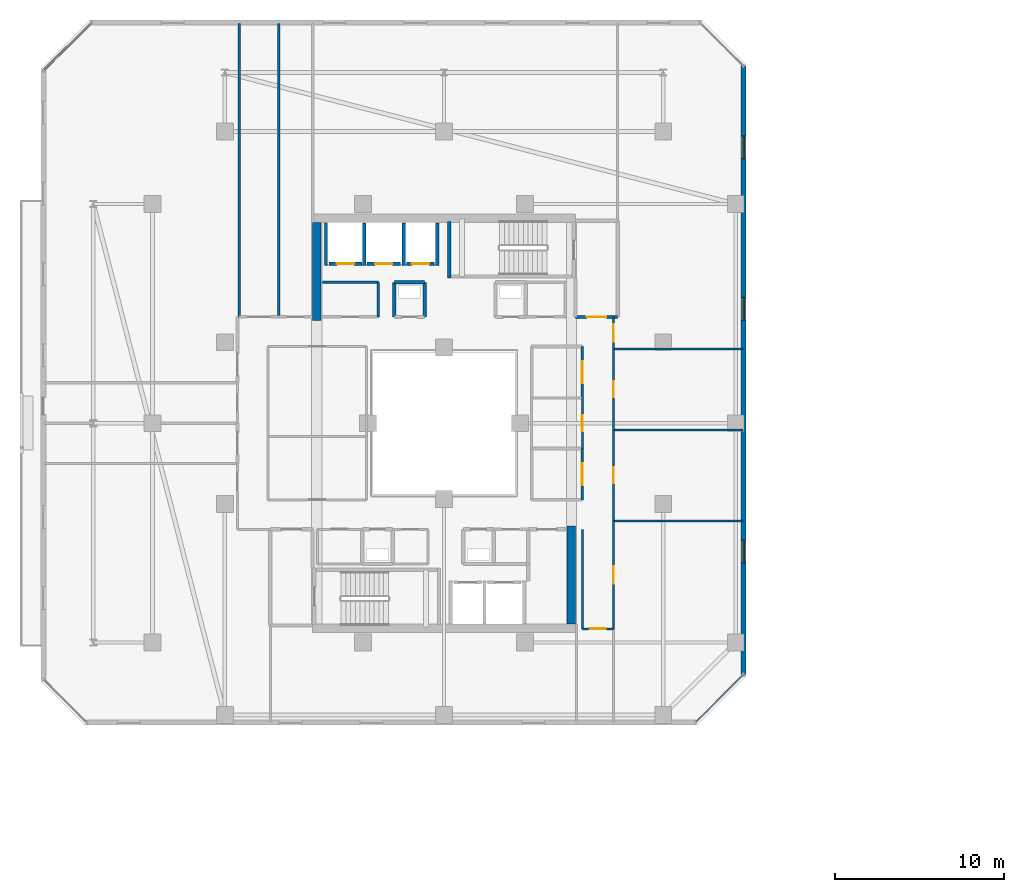
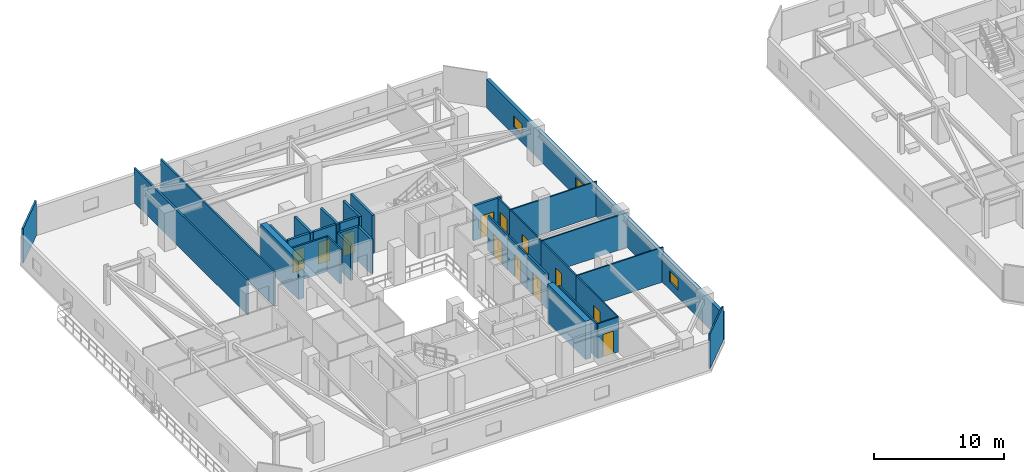
# One storey, part 21 of 33: 33 walls, 12 doors, 3 windows, 15 openings.
"""IFC4 building model written with IfcOpenShell, lengths in metres."""

from ifc_helpers import new_model, si_unit, direction, frame, frame_2d, origin, place, context, subcontext, project, spatial, rectangle, extrude, material, layer, layer_set, type_object, element, fill, save


model = new_model("IFC4")

# Units and contexts
model_context = context("Model", 3, precision=1e-05, world=origin(), true_north=direction((0.0, 1.0)))
body_context = subcontext(model_context, "Body", "Model", "MODEL_VIEW")
ifc_project = project(units=[si_unit("LENGTHUNIT", "METRE"), si_unit("AREAUNIT", "SQUARE_METRE"), si_unit("VOLUMEUNIT", "CUBIC_METRE"), si_unit("PLANEANGLEUNIT", "RADIAN"), si_unit("MASSUNIT", "GRAM", prefix="KILO")], contexts=[model_context])

# Site, building, storey
site_placement = place(None, origin())
site = spatial("IfcSite", under=ifc_project, at=site_placement, CompositionType="ELEMENT")
building_placement = place(site_placement, origin())
building = spatial("IfcBuilding", under=site, at=building_placement, Name="Thornwick Lancets Civic Towers", CompositionType="ELEMENT")
storey_placement = place(building_placement, frame((0.0, 0.0, 218.10009765625)))
storey = spatial("IfcBuildingStorey", under=building, at=storey_placement, Name="L58", CompositionType="ELEMENT", Elevation=218.10009765625)

# Wall, opening, door
ifc_material_1 = material(Name="Concrete blockwork C40/50", Category="masonry")
ifc_layer_1 = layer(ifc_material_1, 0.199951171875, Name="Concrete blockwork C40/50")
ifc_layer_set_1 = layer_set([ifc_layer_1], Name="Concrete blockwork C40/50")
wall_type_1 = type_object("IfcWallType", Name="WALL_COMP_200", PredefinedType="STANDARD", material=ifc_layer_set_1)
wall_1_placement = place(storey_placement, frame((24.919921875, 36.449951171875, 0.0), z_axis=(0.0, 0.0, 1.0), x_axis=(-1.0, 0.0, 0.0)))
wall_1 = element("IfcWall", 1, at=wall_1_placement, inside=storey, type_object=wall_type_1, Name="L58 Hoistway Front Wall FL-A2", PredefinedType="STANDARD", context=body_context, shape_type="SweptSolid", body=[
    extrude(rectangle(XDim=1.639892578125, YDim=0.199951171875, at=frame_2d((0.81982421875, 0.0))), origin(), (0.0, 0.0, 1.0), 3.260009765625),
])
opening_1_placement = place(wall_1_placement, frame((0.31005859375, 0.0, 0.0)))
opening_1 = element("IfcOpeningElement", 2, at=opening_1_placement, cuts=wall_1, Name="Opening LD-FL-A2", PredefinedType="OPENING", context=body_context, shape_type="SweptSolid", body=[
    extrude(rectangle(XDim=1.02001953125, YDim=2.06005859375, at=frame_2d((0.510009765625, 1.030029296875))), frame((0.0, 0.10986328125, 0.0), z_axis=(0.0, -1.0, 0.0), x_axis=(1.0, 0.0, 0.0)), (0.0, 0.0, 1.0), 0.219970703125),
])
ifc_material_2 = material(Name="Brushed bronze stainless steel", Category="steel")
door_type_1 = type_object("IfcDoorType", Name="DOOR_LIFT_SLIDE", OperationType="SLIDING_TO_LEFT", PredefinedType="DOOR", material=ifc_material_2)
door_1_placement = place(opening_1_placement, origin())
door_1 = element("IfcDoor", 3, at=door_1_placement, inside=storey, type_object=door_type_1, Name="L58 Sliding Lift Landing Door LD-FL-A2", OperationType="SLIDING_TO_LEFT", OverallHeight=2.06005859375, OverallWidth=1.02001953125, PredefinedType="DOOR", context=body_context, shape_type="SweptSolid", body=[
    extrude(rectangle(XDim=1.02001953125, YDim=2.06005859375, at=frame_2d((0.510009765625, 1.030029296875))), frame((0.0, 0.02490234375, 0.0), z_axis=(0.0, -1.0, 0.0), x_axis=(1.0, 0.0, 0.0)), (0.0, 0.0, 1.0), 0.050048828125),
])
fill(opening_1, door_1)

wall_2_placement = place(storey_placement, frame((22.919921875, 36.449951171875, 0.0), z_axis=(0.0, 0.0, 1.0), x_axis=(-1.0, 0.0, 0.0)))
wall_2 = element("IfcWall", 4, at=wall_2_placement, inside=storey, type_object=wall_type_1, Name="L58 Hoistway Front Wall PL-AH2", PredefinedType="STANDARD", context=body_context, shape_type="SweptSolid", body=[
    extrude(rectangle(XDim=1.989990234375, YDim=0.199951171875, at=frame_2d((0.9951171875, 0.0))), origin(), (0.0, 0.0, 1.0), 3.260009765625),
])
opening_2_placement = place(wall_2_placement, frame((0.485107421875, 0.0, 0.0)))
opening_2 = element("IfcOpeningElement", 5, at=opening_2_placement, cuts=wall_2, Name="Opening LD-PL-AH2", PredefinedType="OPENING", context=body_context, shape_type="SweptSolid", body=[
    extrude(rectangle(XDim=1.02001953125, YDim=2.06005859375, at=frame_2d((0.510009765625, 1.030029296875))), frame((0.0, 0.10986328125, 0.0), z_axis=(0.0, -1.0, 0.0), x_axis=(1.0, 0.0, 0.0)), (0.0, 0.0, 1.0), 0.219970703125),
])
door_2_placement = place(opening_2_placement, origin())
door_2 = element("IfcDoor", 6, at=door_2_placement, inside=storey, type_object=door_type_1, Name="L58 Sliding Lift Landing Door LD-PL-AH2", OperationType="SLIDING_TO_LEFT", OverallHeight=2.06005859375, OverallWidth=1.02001953125, PredefinedType="DOOR", context=body_context, shape_type="SweptSolid", body=[
    extrude(rectangle(XDim=1.02001953125, YDim=2.06005859375, at=frame_2d((0.510009765625, 1.030029296875))), frame((0.0, 0.02490234375, 0.0), z_axis=(0.0, -1.0, 0.0), x_axis=(1.0, 0.0, 0.0)), (0.0, 0.0, 1.0), 0.050048828125),
])
fill(opening_2, door_2)

wall_3_placement = place(storey_placement, frame((20.6201171875, 36.449951171875, 0.0), z_axis=(0.0, 0.0, 1.0), x_axis=(-1.0, 0.0, 0.0)))
wall_3 = element("IfcWall", 7, at=wall_3_placement, inside=storey, type_object=wall_type_1, Name="L58 Hoistway Front Wall PL-AH3", PredefinedType="STANDARD", context=body_context, shape_type="SweptSolid", body=[
    extrude(rectangle(XDim=1.940185546875, YDim=0.199951171875, at=frame_2d((0.97021484375, 0.0))), origin(), (0.0, 0.0, 1.0), 3.260009765625),
])
opening_3_placement = place(wall_3_placement, frame((0.4599609375, 0.0, 0.0)))
opening_3 = element("IfcOpeningElement", 8, at=opening_3_placement, cuts=wall_3, Name="Opening LD-PL-AH3", PredefinedType="OPENING", context=body_context, shape_type="SweptSolid", body=[
    extrude(rectangle(XDim=1.02001953125, YDim=2.06005859375, at=frame_2d((0.510009765625, 1.030029296875))), frame((0.0, 0.10986328125, 0.0), z_axis=(0.0, -1.0, 0.0), x_axis=(1.0, 0.0, 0.0)), (0.0, 0.0, 1.0), 0.219970703125),
])
door_3_placement = place(opening_3_placement, origin())
door_3 = element("IfcDoor", 9, at=door_3_placement, inside=storey, type_object=door_type_1, Name="L58 Sliding Lift Landing Door LD-PL-AH3", OperationType="SLIDING_TO_LEFT", OverallHeight=2.06005859375, OverallWidth=1.02001953125, PredefinedType="DOOR", context=body_context, shape_type="SweptSolid", body=[
    extrude(rectangle(XDim=1.02001953125, YDim=2.06005859375, at=frame_2d((0.510009765625, 1.030029296875))), frame((0.0, 0.02490234375, 0.0), z_axis=(0.0, -1.0, 0.0), x_axis=(1.0, 0.0, 0.0)), (0.0, 0.0, 1.0), 0.050048828125),
])
fill(opening_3, door_3)

# Walls
for number, where, z_axis, x_axis, name in (
    (10, (25.10009765625, 36.35205078125, 0.0), (0.0, 0.0, 1.0), (0.0, 1.0, 0.0), "L58 Hoistway Shaft Wall FL-A2 E"),
    (11, (23.10009765625, 36.35205078125, 0.0), (0.0, 0.0, 1.0), (0.0, 1.0, 0.0), "L58 Hoistway Shaft Wall FL-A2 W"),
    (12, (20.77490234375, 36.35205078125, 0.0), (0.0, 0.0, 1.0), (0.0, 1.0, 0.0), "L58 Hoistway Shaft Wall PL-AH2 W"),
    (13, (18.5, 36.35205078125, 0.0), (0.0, 0.0, 1.0), (0.0, 1.0, 0.0), "L58 Hoistway Shaft Wall PL-AH3 W"),
):
    element("IfcWall", number, at=place(storey_placement, frame(where, z_axis=z_axis, x_axis=x_axis)), inside=storey, type_object=wall_type_1, Name=name, PredefinedType="STANDARD", context=body_context, shape_type="SweptSolid", body=[
        extrude(rectangle(XDim=2.535888671875, YDim=0.199951171875, at=frame_2d((1.26806640625, 0.0))), origin(), (0.0, 0.0, 1.0), 3.260009765625),
    ])

# Wall, opening, door
wall_4_placement = place(storey_placement, frame((33.300048828125, 33.300048828125, 0.0), z_axis=(0.0, 0.0, 1.0), x_axis=(1.0, 0.0, 0.0)))
wall_4 = element("IfcWall", 14, at=wall_4_placement, inside=storey, type_object=wall_type_1, Name="L58 Partition L58-A-FFLOB2 E1", PredefinedType="STANDARD", context=body_context, shape_type="SweptSolid", body=[
    extrude(rectangle(XDim=2.5, YDim=0.199951171875, at=frame_2d((1.25, 0.0))), origin(), (0.0, 0.0, 1.0), 3.260009765625),
])
opening_4_placement = place(wall_4_placement, frame((0.675048828125, 0.0, 0.0)))
opening_4 = element("IfcOpeningElement", 15, at=opening_4_placement, cuts=wall_4, Name="Opening D-L58-2580", PredefinedType="OPENING", context=body_context, shape_type="SweptSolid", body=[
    extrude(rectangle(XDim=1.14990234375, YDim=2.10009765625, at=frame_2d((0.574951171875, 1.050048828125))), frame((0.0, 0.10986328125, 0.0), z_axis=(0.0, -1.0, 0.0), x_axis=(1.0, 0.0, 0.0)), (0.0, 0.0, 1.0), 0.219970703125),
])
ifc_material_3 = material(Name="Glazed fire-resisting steel", Category="steel")
door_type_2 = type_object("IfcDoorType", Name="DOOR_LOBBY_FD60", OperationType="NOTDEFINED", PredefinedType="DOOR", material=ifc_material_3)
door_4_placement = place(opening_4_placement, origin())
door_4 = element("IfcDoor", 16, at=door_4_placement, inside=storey, type_object=door_type_2, Name="L58 North Firefighting Lobby 2 Door", OperationType="SINGLE_SWING_LEFT", OverallHeight=2.10009765625, OverallWidth=1.14990234375, PredefinedType="DOOR", context=body_context, shape_type="SweptSolid", body=[
    extrude(rectangle(XDim=1.14990234375, YDim=2.10009765625, at=frame_2d((0.574951171875, 1.050048828125))), frame((0.0, 0.02490234375, 0.0), z_axis=(0.0, -1.0, 0.0), x_axis=(1.0, 0.0, 0.0)), (0.0, 0.0, 1.0), 0.050048828125),
])
fill(opening_4, door_4)

# Walls
wall_5_placement = place(storey_placement, frame((24.35009765625, 33.300048828125, 0.0), z_axis=(0.0, 0.0, 1.0), x_axis=(0.0, 1.0, 0.0)))
element("IfcWall", 17, at=wall_5_placement, inside=storey, type_object=wall_type_1, Name="L58 Partition L58-A-DUCT2 E2", PredefinedType="STANDARD", context=body_context, shape_type="SweptSolid", body=[
    extrude(rectangle(XDim=2.050048828125, YDim=0.199951171875, at=frame_2d((1.02490234375, 0.0))), origin(), (0.0, 0.0, 1.0), 3.260009765625),
])
wall_6_placement = place(storey_placement, frame((24.35009765625, 35.35009765625, 0.0), z_axis=(0.0, 0.0, 1.0), x_axis=(-1.0, 0.0, 0.0)))
element("IfcWall", 18, at=wall_6_placement, inside=storey, type_object=wall_type_1, Name="L58 Partition L58-A-DUCT2 E3", PredefinedType="STANDARD", context=body_context, shape_type="SweptSolid", body=[
    extrude(rectangle(XDim=1.800048828125, YDim=0.199951171875, at=frame_2d((0.89990234375, 0.0))), origin(), (0.0, 0.0, 1.0), 3.260009765625),
])
wall_7_placement = place(storey_placement, frame((22.550048828125, 35.35009765625, 0.0), z_axis=(0.0, 0.0, 1.0), x_axis=(0.0, -1.0, 0.0)))
element("IfcWall", 19, at=wall_7_placement, inside=storey, type_object=wall_type_1, Name="L58 Partition L58-A-DUCT2 E4", PredefinedType="STANDARD", context=body_context, shape_type="SweptSolid", body=[
    extrude(rectangle(XDim=2.050048828125, YDim=0.199951171875, at=frame_2d((1.02490234375, 0.0))), origin(), (0.0, 0.0, 1.0), 3.260009765625),
])
ifc_material_4 = material(Name="Concrete C50/60", Category="concrete")
ifc_layer_2 = layer(ifc_material_4, 0.5, Name="Concrete C50/60")
ifc_layer_set_2 = layer_set([ifc_layer_2], Name="Concrete C50/60")
wall_type_2 = type_object("IfcWallType", Name="WALL_CORE_500", PredefinedType="SHEAR", material=ifc_layer_set_2)
for number, where, z_axis, x_axis, name in (
    (20, (33.050048828125, 15.10009765625, 0.0), (0.0, 0.0, 1.0), (0.0, 1.0, 0.0), "L58 Split Core A1 Shear Wall E"),
    (21, (17.949951171875, 33.10009765625, 0.0), (0.0, 0.0, 1.0), (0.0, 1.0, 0.0), "L58 Split Core A2 Shear Wall W"),
):
    element("IfcWall", number, at=place(storey_placement, frame(where, z_axis=z_axis, x_axis=x_axis)), inside=storey, type_object=wall_type_2, Name=name, PredefinedType="SHEAR", context=body_context, shape_type="SweptSolid", body=[
        extrude(rectangle(XDim=5.7998046875, YDim=0.5, at=frame_2d((2.89990234375, 0.0))), origin(), (0.0, 0.0, 1.0), 3.599853515625),
    ])

# Wall, openings, windows
ifc_material_5 = material(Name="Insulated russet terracotta rainscreen on concrete C40/50", Category="masonry")
ifc_layer_3 = layer(ifc_material_5, 0.300048828125, Name="Insulated russet terracotta rainscreen on concrete C40/50")
ifc_layer_set_3 = layer_set([ifc_layer_3], Name="Insulated russet terracotta rainscreen on concrete C40/50")
wall_type_3 = type_object("IfcWallType", Name="WALL_EXT_RUSSET_300", PredefinedType="STANDARD", material=ifc_layer_set_3)
wall_8_placement = place(storey_placement, frame((43.263671875, 12.094482421875, 0.0), z_axis=(0.0, 0.0, 1.0), x_axis=(2.7061402e-05, 0.999999999634, 0.0)))
wall_8 = element("IfcWall", 22, at=wall_8_placement, inside=storey, type_object=wall_type_3, Name="L58 Tower A Terracotta Facade Wall E2", PredefinedType="STANDARD", context=body_context, shape_type="SweptSolid", body=[
    extrude(rectangle(XDim=36.0869140625, YDim=0.300048828125, at=frame_2d((18.04345703125, 0.0))), origin(), (0.0, 0.0, 1.0), 2.659912109375),
])
opening_5_placement = place(wall_8_placement, frame((6.60009765625, 0.0, 0.719970703125)))
opening_5 = element("IfcOpeningElement", 23, at=opening_5_placement, cuts=wall_8, Name="Opening WL-03", PredefinedType="OPENING", context=body_context, shape_type="SweptSolid", body=[
    extrude(rectangle(XDim=1.35009765625, YDim=1.050048828125, at=frame_2d((0.675048828125, 0.52490234375))), frame((0.0, 0.16015625, 0.0), z_axis=(0.0, -1.0, 0.0), x_axis=(1.0, 0.0, 0.0)), (0.0, 0.0, 1.0), 0.320068359375),
])
opening_6_placement = place(wall_8_placement, frame((21.0, 0.0, 0.719970703125)))
opening_6 = element("IfcOpeningElement", 24, at=opening_6_placement, cuts=wall_8, Name="Opening WL-03", PredefinedType="OPENING", context=body_context, shape_type="SweptSolid", body=[
    extrude(rectangle(XDim=1.35009765625, YDim=1.050048828125, at=frame_2d((0.675048828125, 0.52490234375))), frame((0.0, 0.16015625, 0.0), z_axis=(0.0, -1.0, 0.0), x_axis=(1.0, 0.0, 0.0)), (0.0, 0.0, 1.0), 0.320068359375),
])
opening_7_placement = place(wall_8_placement, frame((30.60009765625, 0.0, 0.719970703125)))
opening_7 = element("IfcOpeningElement", 25, at=opening_7_placement, cuts=wall_8, Name="Opening WL-03", PredefinedType="OPENING", context=body_context, shape_type="SweptSolid", body=[
    extrude(rectangle(XDim=1.35009765625, YDim=1.050048828125, at=frame_2d((0.675048828125, 0.52490234375))), frame((0.0, 0.16015625, 0.0), z_axis=(0.0, -1.0, 0.0), x_axis=(1.0, 0.0, 0.0)), (0.0, 0.0, 1.0), 0.320068359375),
])
ifc_material_6 = material(Name="Clear low-e double glazing clerestory lancet", Category="glass")
window_type = type_object("IfcWindowType", Name="WIN_LANCET_1350", PartitioningType="SINGLE_PANEL", PredefinedType="WINDOW", material=ifc_material_6)
window_1_placement = place(opening_5_placement, origin())
window_1 = element("IfcWindow", 26, at=window_1_placement, inside=storey, type_object=window_type, Name="L58 Tower A Staggered Lancet Window E2-1", OverallHeight=1.050048828125, OverallWidth=1.35009765625, PartitioningType="SINGLE_PANEL", PredefinedType="WINDOW", context=body_context, shape_type="SweptSolid", body=[
    extrude(rectangle(XDim=1.35009765625, YDim=1.050048828125, at=frame_2d((0.675048828125, 0.52490234375))), frame((0.0, 0.030029296875, 0.0), z_axis=(0.0, -1.0, 0.0), x_axis=(1.0, 0.0, 0.0)), (0.0, 0.0, 1.0), 0.06005859375),
])
fill(opening_5, window_1)
window_2_placement = place(opening_6_placement, origin())
window_2 = element("IfcWindow", 27, at=window_2_placement, inside=storey, type_object=window_type, Name="L58 Tower A Staggered Lancet Window E2-2", OverallHeight=1.050048828125, OverallWidth=1.35009765625, PartitioningType="SINGLE_PANEL", PredefinedType="WINDOW", context=body_context, shape_type="SweptSolid", body=[
    extrude(rectangle(XDim=1.35009765625, YDim=1.050048828125, at=frame_2d((0.675048828125, 0.52490234375))), frame((0.0, 0.030029296875, 0.0), z_axis=(0.0, -1.0, 0.0), x_axis=(1.0, 0.0, 0.0)), (0.0, 0.0, 1.0), 0.06005859375),
])
fill(opening_6, window_2)
window_3_placement = place(opening_7_placement, origin())
window_3 = element("IfcWindow", 28, at=window_3_placement, inside=storey, type_object=window_type, Name="L58 Tower A Staggered Lancet Window E2-3", OverallHeight=1.050048828125, OverallWidth=1.35009765625, PartitioningType="SINGLE_PANEL", PredefinedType="WINDOW", context=body_context, shape_type="SweptSolid", body=[
    extrude(rectangle(XDim=1.35009765625, YDim=1.050048828125, at=frame_2d((0.675048828125, 0.52490234375))), frame((0.0, 0.030029296875, 0.0), z_axis=(0.0, -1.0, 0.0), x_axis=(1.0, 0.0, 0.0)), (0.0, 0.0, 1.0), 0.06005859375),
])
fill(opening_7, window_3)

# Wall
ifc_material_7 = material(Name="Acoustic gypsum board partition")
ifc_layer_4 = layer(ifc_material_7, 0.1201171875, Name="Acoustic gypsum board partition")
ifc_layer_set_4 = layer_set([ifc_layer_4], Name="Acoustic gypsum board partition")
wall_type_4 = type_object("IfcWallType", Name="WALL_PART_120", PredefinedType="PARTITIONING", material=ifc_layer_set_4)
wall_9_placement = place(storey_placement, frame((33.699951171875, 20.699951171875, 0.0), z_axis=(0.0, 0.0, 1.0), x_axis=(0.0, -1.0, 0.0)))
element("IfcWall", 29, at=wall_9_placement, inside=storey, type_object=wall_type_4, Name="L58 Partition L58-A-RECLAIM-L E2", PredefinedType="PARTITIONING", context=body_context, shape_type="SweptSolid", body=[
    extrude(rectangle(XDim=5.89990234375, YDim=0.1201171875, at=frame_2d((2.949951171875, 0.0))), origin(), (0.0, 0.0, 1.0), 3.260009765625),
])

# Wall, opening, door
wall_10_placement = place(storey_placement, frame((33.699951171875, 14.800048828125, 0.0), z_axis=(0.0, 0.0, 1.0), x_axis=(1.0, 0.0, 0.0)))
wall_10 = element("IfcWall", 30, at=wall_10_placement, inside=storey, type_object=wall_type_4, Name="L58 Partition L58-A-RECLAIM-L E3", PredefinedType="PARTITIONING", context=body_context, shape_type="SweptSolid", body=[
    extrude(rectangle(XDim=1.85009765625, YDim=0.1201171875, at=frame_2d((0.925048828125, 0.0))), origin(), (0.0, 0.0, 1.0), 3.260009765625),
])
opening_8_placement = place(wall_10_placement, frame((0.449951171875, 0.0, 0.0)))
opening_8 = element("IfcOpeningElement", 31, at=opening_8_placement, cuts=wall_10, Name="Opening D-L58-2603", PredefinedType="OPENING", context=body_context, shape_type="SweptSolid", body=[
    extrude(rectangle(XDim=0.949951171875, YDim=2.10009765625, at=frame_2d((0.47509765625, 1.050048828125))), frame((0.0, 0.070068359375, 0.0), z_axis=(0.0, -1.0, 0.0), x_axis=(1.0, 0.0, 0.0)), (0.0, 0.0, 1.0), 0.14013671875),
])
ifc_material_8 = material(Name="European oak acoustic doorset")
door_type_3 = type_object("IfcDoorType", Name="DOOR_OFFICE_950", OperationType="NOTDEFINED", PredefinedType="DOOR", material=ifc_material_8)
door_5_placement = place(opening_8_placement, origin())
door_5 = element("IfcDoor", 32, at=door_5_placement, inside=storey, type_object=door_type_3, Name="L58 Tower A Parliamentary Drafting Library Door", OperationType="SINGLE_SWING_RIGHT", OverallHeight=2.10009765625, OverallWidth=0.949951171875, PredefinedType="DOOR", context=body_context, shape_type="SweptSolid", body=[
    extrude(rectangle(XDim=0.949951171875, YDim=2.10009765625, at=frame_2d((0.47509765625, 1.050048828125))), frame((0.0, 0.02490234375, 0.0), z_axis=(0.0, -1.0, 0.0), x_axis=(1.0, 0.0, 0.0)), (0.0, 0.0, 1.0), 0.050048828125),
])
fill(opening_8, door_5)

wall_11_placement = place(storey_placement, frame((35.550048828125, 14.800048828125, 0.0), z_axis=(0.0, 0.0, 1.0), x_axis=(0.0, 1.0, 0.0)))
wall_11 = element("IfcWall", 33, at=wall_11_placement, inside=storey, type_object=wall_type_4, Name="L58 Partition L58-A-E1 E3", PredefinedType="PARTITIONING", context=body_context, shape_type="SweptSolid", body=[
    extrude(rectangle(XDim=6.39990234375, YDim=0.1201171875, at=frame_2d((3.199951171875, 0.0))), origin(), (0.0, 0.0, 1.0), 3.260009765625),
])
opening_9_placement = place(wall_11_placement, frame((2.675048828125, 0.0, 0.0)))
opening_9 = element("IfcOpeningElement", 34, at=opening_9_placement, cuts=wall_11, Name="Opening D-L58-2612", PredefinedType="OPENING", context=body_context, shape_type="SweptSolid", body=[
    extrude(rectangle(XDim=1.050048828125, YDim=2.10009765625, at=frame_2d((0.52490234375, 1.050048828125))), frame((0.0, 0.070068359375, 0.0), z_axis=(0.0, -1.0, 0.0), x_axis=(1.0, 0.0, 0.0)), (0.0, 0.0, 1.0), 0.14013671875),
])
ifc_material_9 = material(Name="Glazed European oak executive doorset")
door_type_4 = type_object("IfcDoorType", Name="DOOR_OFFICE_1050", OperationType="NOTDEFINED", PredefinedType="DOOR", material=ifc_material_9)
door_6_placement = place(opening_9_placement, origin())
door_6 = element("IfcDoor", 35, at=door_6_placement, inside=storey, type_object=door_type_4, Name="L58 Tower A Secretariat Open Office E1 Door", OperationType="SINGLE_SWING_LEFT", OverallHeight=2.10009765625, OverallWidth=1.050048828125, PredefinedType="DOOR", context=body_context, shape_type="SweptSolid", body=[
    extrude(rectangle(XDim=1.050048828125, YDim=2.10009765625, at=frame_2d((0.52490234375, 1.050048828125))), frame((0.0, 0.02490234375, 0.0), z_axis=(0.0, -1.0, 0.0), x_axis=(1.0, 0.0, 0.0)), (0.0, 0.0, 1.0), 0.050048828125),
])
fill(opening_9, door_6)

# Walls
wall_12_placement = place(storey_placement, frame((35.550048828125, 21.199951171875, 0.0), z_axis=(0.0, 0.0, 1.0), x_axis=(1.0, 0.0, 0.0)))
element("IfcWall", 36, at=wall_12_placement, inside=storey, type_object=wall_type_4, Name="L58 Partition L58-A-E1 E4", PredefinedType="PARTITIONING", context=body_context, shape_type="SweptSolid", body=[
    extrude(rectangle(XDim=7.669921875, YDim=0.1201171875, at=frame_2d((3.8349609375, 0.0))), origin(), (0.0, 0.0, 1.0), 3.260009765625),
])
wall_13_placement = place(storey_placement, frame((43.219970703125, 12.051513671875, 0.0), z_axis=(0.0, 0.0, 1.0), x_axis=(-0.707106781187, -0.707106781187, 0.0)))
element("IfcWall", 37, at=wall_13_placement, inside=storey, type_object=wall_type_4, Name="L58 Partition L58-A-E1 E6", PredefinedType="PARTITIONING", context=body_context, shape_type="SweptSolid", body=[
    extrude(rectangle(XDim=3.91943359375, YDim=0.1201171875, at=frame_2d((1.959716796875, 0.0))), origin(), (0.0, 0.0, 1.0), 3.260009765625),
])

# Wall, opening, door
wall_14_placement = place(storey_placement, frame((35.550048828125, 21.199951171875, 0.0), z_axis=(0.0, 0.0, 1.0), x_axis=(0.0, 1.0, 0.0)))
wall_14 = element("IfcWall", 38, at=wall_14_placement, inside=storey, type_object=wall_type_4, Name="L58 Partition L58-A-E2 E1", PredefinedType="PARTITIONING", context=body_context, shape_type="SweptSolid", body=[
    extrude(rectangle(XDim=5.400146484375, YDim=0.1201171875, at=frame_2d((2.7001953125, 0.0))), origin(), (0.0, 0.0, 1.0), 3.260009765625),
])
opening_10_placement = place(wall_14_placement, frame((2.22509765625, 0.0, 0.0)))
opening_10 = element("IfcOpeningElement", 39, at=opening_10_placement, cuts=wall_14, Name="Opening D-L58-2613", PredefinedType="OPENING", context=body_context, shape_type="SweptSolid", body=[
    extrude(rectangle(XDim=0.949951171875, YDim=2.10009765625, at=frame_2d((0.47509765625, 1.050048828125))), frame((0.0, 0.070068359375, 0.0), z_axis=(0.0, -1.0, 0.0), x_axis=(1.0, 0.0, 0.0)), (0.0, 0.0, 1.0), 0.14013671875),
])
door_7_placement = place(opening_10_placement, origin())
door_7 = element("IfcDoor", 40, at=door_7_placement, inside=storey, type_object=door_type_3, Name="L58 Tower A Visitors Reception and Waiting Door", OperationType="SINGLE_SWING_RIGHT", OverallHeight=2.10009765625, OverallWidth=0.949951171875, PredefinedType="DOOR", context=body_context, shape_type="SweptSolid", body=[
    extrude(rectangle(XDim=0.949951171875, YDim=2.10009765625, at=frame_2d((0.47509765625, 1.050048828125))), frame((0.0, 0.02490234375, 0.0), z_axis=(0.0, -1.0, 0.0), x_axis=(1.0, 0.0, 0.0)), (0.0, 0.0, 1.0), 0.050048828125),
])
fill(opening_10, door_7)

# Wall
wall_15_placement = place(storey_placement, frame((35.550048828125, 26.60009765625, 0.0), z_axis=(0.0, 0.0, 1.0), x_axis=(1.0, 0.0, 0.0)))
element("IfcWall", 41, at=wall_15_placement, inside=storey, type_object=wall_type_4, Name="L58 Partition L58-A-E2 E2", PredefinedType="PARTITIONING", context=body_context, shape_type="SweptSolid", body=[
    extrude(rectangle(XDim=7.669921875, YDim=0.1201171875, at=frame_2d((3.8349609375, 0.0))), origin(), (0.0, 0.0, 1.0), 3.260009765625),
])

# Wall, opening, door
wall_16_placement = place(storey_placement, frame((35.550048828125, 26.60009765625, 0.0), z_axis=(0.0, 0.0, 1.0), x_axis=(0.0, 1.0, 0.0)))
wall_16 = element("IfcWall", 42, at=wall_16_placement, inside=storey, type_object=wall_type_4, Name="L58 Partition L58-A-E3 E1", PredefinedType="PARTITIONING", context=body_context, shape_type="SweptSolid", body=[
    extrude(rectangle(XDim=4.7998046875, YDim=0.1201171875, at=frame_2d((2.39990234375, 0.0))), origin(), (0.0, 0.0, 1.0), 3.260009765625),
])
opening_11_placement = place(wall_16_placement, frame((1.925048828125, 0.0, 0.0)))
opening_11 = element("IfcOpeningElement", 43, at=opening_11_placement, cuts=wall_16, Name="Opening D-L58-2614", PredefinedType="OPENING", context=body_context, shape_type="SweptSolid", body=[
    extrude(rectangle(XDim=0.949951171875, YDim=2.10009765625, at=frame_2d((0.47509765625, 1.050048828125))), frame((0.0, 0.070068359375, 0.0), z_axis=(0.0, -1.0, 0.0), x_axis=(1.0, 0.0, 0.0)), (0.0, 0.0, 1.0), 0.14013671875),
])
door_8_placement = place(opening_11_placement, origin())
door_8 = element("IfcDoor", 44, at=door_8_placement, inside=storey, type_object=door_type_3, Name="L58 Tower A Civic Seminar Room Door", OperationType="SINGLE_SWING_LEFT", OverallHeight=2.10009765625, OverallWidth=0.949951171875, PredefinedType="DOOR", context=body_context, shape_type="SweptSolid", body=[
    extrude(rectangle(XDim=0.949951171875, YDim=2.10009765625, at=frame_2d((0.47509765625, 1.050048828125))), frame((0.0, 0.02490234375, 0.0), z_axis=(0.0, -1.0, 0.0), x_axis=(1.0, 0.0, 0.0)), (0.0, 0.0, 1.0), 0.050048828125),
])
fill(opening_11, door_8)

# Wall
wall_17_placement = place(storey_placement, frame((35.550048828125, 31.39990234375, 0.0), z_axis=(0.0, 0.0, 1.0), x_axis=(1.0, 0.0, 0.0)))
element("IfcWall", 45, at=wall_17_placement, inside=storey, type_object=wall_type_4, Name="L58 Partition L58-A-E3 E2", PredefinedType="PARTITIONING", context=body_context, shape_type="SweptSolid", body=[
    extrude(rectangle(XDim=7.669921875, YDim=0.1201171875, at=frame_2d((3.8349609375, 0.0))), origin(), (0.0, 0.0, 1.0), 3.260009765625),
])

# Wall, opening, door
wall_18_placement = place(storey_placement, frame((35.550048828125, 31.39990234375, 0.0), z_axis=(0.0, 0.0, 1.0), x_axis=(0.0, 1.0, 0.0)))
wall_18 = element("IfcWall", 46, at=wall_18_placement, inside=storey, type_object=wall_type_4, Name="L58 Partition L58-A-E4 E8", PredefinedType="PARTITIONING", context=body_context, shape_type="SweptSolid", body=[
    extrude(rectangle(XDim=1.900146484375, YDim=0.1201171875, at=frame_2d((0.9501953125, 0.0))), origin(), (0.0, 0.0, 1.0), 3.260009765625),
])
opening_12_placement = place(wall_18_placement, frame((0.425048828125, 0.0, 0.0)))
opening_12 = element("IfcOpeningElement", 47, at=opening_12_placement, cuts=wall_18, Name="Opening D-L58-2615", PredefinedType="OPENING", context=body_context, shape_type="SweptSolid", body=[
    extrude(rectangle(XDim=1.050048828125, YDim=2.10009765625, at=frame_2d((0.52490234375, 1.050048828125))), frame((0.0, 0.070068359375, 0.0), z_axis=(0.0, -1.0, 0.0), x_axis=(1.0, 0.0, 0.0)), (0.0, 0.0, 1.0), 0.14013671875),
])
door_9_placement = place(opening_12_placement, origin())
door_9 = element("IfcDoor", 48, at=door_9_placement, inside=storey, type_object=door_type_4, Name="L58 Tower A Legislative Drafting Suite E4 Door", OperationType="SINGLE_SWING_RIGHT", OverallHeight=2.10009765625, OverallWidth=1.050048828125, PredefinedType="DOOR", context=body_context, shape_type="SweptSolid", body=[
    extrude(rectangle(XDim=1.050048828125, YDim=2.10009765625, at=frame_2d((0.52490234375, 1.050048828125))), frame((0.0, 0.02490234375, 0.0), z_axis=(0.0, -1.0, 0.0), x_axis=(1.0, 0.0, 0.0)), (0.0, 0.0, 1.0), 0.050048828125),
])
fill(opening_12, door_9)

wall_19_placement = place(storey_placement, frame((33.699951171875, 28.5, 0.0), z_axis=(0.0, 0.0, 1.0), x_axis=(0.0, -1.0, 0.0)))
wall_19 = element("IfcWall", 49, at=wall_19_placement, inside=storey, type_object=wall_type_4, Name="L58 Partition L58-A-E-ATR-2 E3", PredefinedType="PARTITIONING", context=body_context, shape_type="SweptSolid", body=[
    extrude(rectangle(XDim=3.0, YDim=0.1201171875, at=frame_2d((1.5, 0.0))), origin(), (0.0, 0.0, 1.0), 3.260009765625),
])
opening_13_placement = place(wall_19_placement, frame((1.02490234375, 0.0, 0.0)))
opening_13 = element("IfcOpeningElement", 50, at=opening_13_placement, cuts=wall_19, Name="Opening D-L58-2617", PredefinedType="OPENING", context=body_context, shape_type="SweptSolid", body=[
    extrude(rectangle(XDim=0.949951171875, YDim=2.10009765625, at=frame_2d((0.47509765625, 1.050048828125))), frame((0.0, 0.070068359375, 0.0), z_axis=(0.0, -1.0, 0.0), x_axis=(1.0, 0.0, 0.0)), (0.0, 0.0, 1.0), 0.14013671875),
])
door_10_placement = place(opening_13_placement, origin())
door_10 = element("IfcDoor", 51, at=door_10_placement, inside=storey, type_object=door_type_3, Name="L58 Tower A Atrium Research Suite Door", OperationType="SINGLE_SWING_RIGHT", OverallHeight=2.10009765625, OverallWidth=0.949951171875, PredefinedType="DOOR", context=body_context, shape_type="SweptSolid", body=[
    extrude(rectangle(XDim=0.949951171875, YDim=2.10009765625, at=frame_2d((0.47509765625, 1.050048828125))), frame((0.0, 0.02490234375, 0.0), z_axis=(0.0, -1.0, 0.0), x_axis=(1.0, 0.0, 0.0)), (0.0, 0.0, 1.0), 0.050048828125),
])
fill(opening_13, door_10)

# Walls
ifc_material_10 = material(Name="Twin-stud acoustic gypsum board")
ifc_layer_5 = layer(ifc_material_10, 0.14990234375, Name="Twin-stud acoustic gypsum board")
ifc_layer_set_5 = layer_set([ifc_layer_5], Name="Twin-stud acoustic gypsum board")
wall_type_5 = type_object("IfcWallType", Name="WALL_PART_150", PredefinedType="PARTITIONING", material=ifc_layer_set_5)
wall_20_placement = place(storey_placement, frame((21.60009765625, 33.300048828125, 0.0), z_axis=(0.0, 0.0, 1.0), x_axis=(0.0, 1.0, 0.0)))
element("IfcWall", 52, at=wall_20_placement, inside=storey, type_object=wall_type_5, Name="L58 Partition L58-A-MWC E2", PredefinedType="PARTITIONING", context=body_context, shape_type="SweptSolid", body=[
    extrude(rectangle(XDim=2.050048828125, YDim=0.14990234375, at=frame_2d((1.02490234375, 0.0))), origin(), (0.0, 0.0, 1.0), 3.260009765625),
])
wall_21_placement = place(storey_placement, frame((21.60009765625, 35.35009765625, 0.0), z_axis=(0.0, 0.0, 1.0), x_axis=(-1.0, 0.0, 0.0)))
element("IfcWall", 53, at=wall_21_placement, inside=storey, type_object=wall_type_5, Name="L58 Partition L58-A-MWC E3", PredefinedType="PARTITIONING", context=body_context, shape_type="SweptSolid", body=[
    extrude(rectangle(XDim=3.300048828125, YDim=0.14990234375, at=frame_2d((1.64990234375, 0.0))), origin(), (0.0, 0.0, 1.0), 3.260009765625),
])
for number, where, z_axis, x_axis, name in (
    (54, (13.35009765625, 33.300048828125, 0.0), (0.0, 0.0, 1.0), (0.0, 1.0, 0.0), "L58 Partition L58-A-RECLAIM-M1 E1"),
    (55, (15.699951171875, 50.719970703125, 0.0), (0.0, 0.0, 1.0), (0.0, -1.0, 0.0), "L58 Partition L58-A-RECLAIM-M1 E3"),
):
    element("IfcWall", number, at=place(storey_placement, frame(where, z_axis=z_axis, x_axis=x_axis)), inside=storey, type_object=wall_type_5, Name=name, PredefinedType="PARTITIONING", context=body_context, shape_type="SweptSolid", body=[
        extrude(rectangle(XDim=17.419921875, YDim=0.14990234375, at=frame_2d((8.7099609375, 0.0))), origin(), (0.0, 0.0, 1.0), 3.260009765625),
    ])
wall_22_placement = place(storey_placement, frame((1.780029296875, 47.948486328125, 0.0), z_axis=(0.0, 0.0, 1.0), x_axis=(0.707106781187, 0.707106781187, 0.0)))
element("IfcWall", 56, at=wall_22_placement, inside=storey, type_object=wall_type_5, Name="L58 Partition L58-A-W2C E2", PredefinedType="PARTITIONING", context=body_context, shape_type="SweptSolid", body=[
    extrude(rectangle(XDim=3.91943359375, YDim=0.14990234375, at=frame_2d((1.959716796875, 0.0))), origin(), (0.0, 0.0, 1.0), 3.260009765625),
])

# Wall, opening, door
wall_23_placement = place(storey_placement, frame((33.699951171875, 25.5, 0.0), z_axis=(0.0, 0.0, 1.0), x_axis=(0.0, -1.0, 0.0)))
wall_23 = element("IfcWall", 57, at=wall_23_placement, inside=storey, type_object=wall_type_5, Name="L58 Partition L58-A-E-ATR-1 E3", PredefinedType="PARTITIONING", context=body_context, shape_type="SweptSolid", body=[
    extrude(rectangle(XDim=3.050048828125, YDim=0.14990234375, at=frame_2d((1.52490234375, 0.0))), origin(), (0.0, 0.0, 1.0), 3.260009765625),
])
opening_14_placement = place(wall_23_placement, frame((0.875, 0.0, 0.0)))
opening_14 = element("IfcOpeningElement", 58, at=opening_14_placement, cuts=wall_23, Name="Opening D-L58-2616", PredefinedType="OPENING", context=body_context, shape_type="SweptSolid", body=[
    extrude(rectangle(XDim=1.300048828125, YDim=2.1201171875, at=frame_2d((0.64990234375, 1.06005859375))), frame((0.0, 0.0849609375, 0.0), z_axis=(0.0, -1.0, 0.0), x_axis=(1.0, 0.0, 0.0)), (0.0, 0.0, 1.0), 0.169921875),
])
ifc_material_11 = material(Name="Acoustic oak leaf-and-a-half doorset")
door_type_5 = type_object("IfcDoorType", Name="DOOR_MEET_1300", OperationType="DOUBLE_DOOR_SINGLE_SWING", PredefinedType="DOOR", material=ifc_material_11)
door_11_placement = place(opening_14_placement, origin())
door_11 = element("IfcDoor", 59, at=door_11_placement, inside=storey, type_object=door_type_5, Name="L58 Tower A Atrium Briefing Room Door", OperationType="DOUBLE_DOOR_SINGLE_SWING", OverallHeight=2.1201171875, OverallWidth=1.300048828125, PredefinedType="DOOR", context=body_context, shape_type="SweptSolid", body=[
    extrude(rectangle(XDim=1.300048828125, YDim=2.1201171875, at=frame_2d((0.64990234375, 1.06005859375))), frame((0.0, 0.02490234375, 0.0), z_axis=(0.0, -1.0, 0.0), x_axis=(1.0, 0.0, 0.0)), (0.0, 0.0, 1.0), 0.050048828125),
])
fill(opening_14, door_11)

wall_24_placement = place(storey_placement, frame((33.699951171875, 31.550048828125, 0.0), z_axis=(0.0, 0.0, 1.0), x_axis=(0.0, -1.0, 0.0)))
wall_24 = element("IfcWall", 60, at=wall_24_placement, inside=storey, type_object=wall_type_5, Name="L58 Partition L58-A-E-ATR-3 E3", PredefinedType="PARTITIONING", context=body_context, shape_type="SweptSolid", body=[
    extrude(rectangle(XDim=3.050048828125, YDim=0.14990234375, at=frame_2d((1.52490234375, 0.0))), origin(), (0.0, 0.0, 1.0), 3.260009765625),
])
opening_15_placement = place(wall_24_placement, frame((0.875, 0.0, 0.0)))
opening_15 = element("IfcOpeningElement", 61, at=opening_15_placement, cuts=wall_24, Name="Opening D-L58-2618", PredefinedType="OPENING", context=body_context, shape_type="SweptSolid", body=[
    extrude(rectangle(XDim=1.300048828125, YDim=2.1201171875, at=frame_2d((0.64990234375, 1.06005859375))), frame((0.0, 0.0849609375, 0.0), z_axis=(0.0, -1.0, 0.0), x_axis=(1.0, 0.0, 0.0)), (0.0, 0.0, 1.0), 0.169921875),
])
door_12_placement = place(opening_15_placement, origin())
door_12 = element("IfcDoor", 62, at=door_12_placement, inside=storey, type_object=door_type_5, Name="L58 Tower A Atrium Consultation Chamber Door", OperationType="DOUBLE_DOOR_SINGLE_SWING", OverallHeight=2.1201171875, OverallWidth=1.300048828125, PredefinedType="DOOR", context=body_context, shape_type="SweptSolid", body=[
    extrude(rectangle(XDim=1.300048828125, YDim=2.1201171875, at=frame_2d((0.64990234375, 1.06005859375))), frame((0.0, 0.02490234375, 0.0), z_axis=(0.0, -1.0, 0.0), x_axis=(1.0, 0.0, 0.0)), (0.0, 0.0, 1.0), 0.050048828125),
])
fill(opening_15, door_12)

# Wall
ifc_material_12 = material(Name="Concrete C40/50", Category="concrete")
ifc_layer_6 = layer(ifc_material_12, 0.199951171875, Name="Concrete C40/50")
ifc_layer_set_6 = layer_set([ifc_layer_6], Name="Concrete C40/50")
wall_type_6 = type_object("IfcWallType", Name="WALL_SHAFT_200", PredefinedType="SHEAR", material=ifc_layer_set_6)
wall_25_placement = place(storey_placement, frame((25.800048828125, 35.60009765625, 0.0), z_axis=(0.0, 0.0, 1.0), x_axis=(0.0, 1.0, 0.0)))
element("IfcWall", 63, at=wall_25_placement, inside=storey, type_object=wall_type_6, Name="L58 ST-A2 Fire Stair Core Wall FAR", PredefinedType="SHEAR", context=body_context, shape_type="SweptSolid", body=[
    extrude(rectangle(XDim=3.349853515625, YDim=0.199951171875, at=frame_2d((1.6748046875, 0.0))), origin(), (0.0, 0.0, 1.0), 3.599853515625),
])

save(model, "model.ifc")
